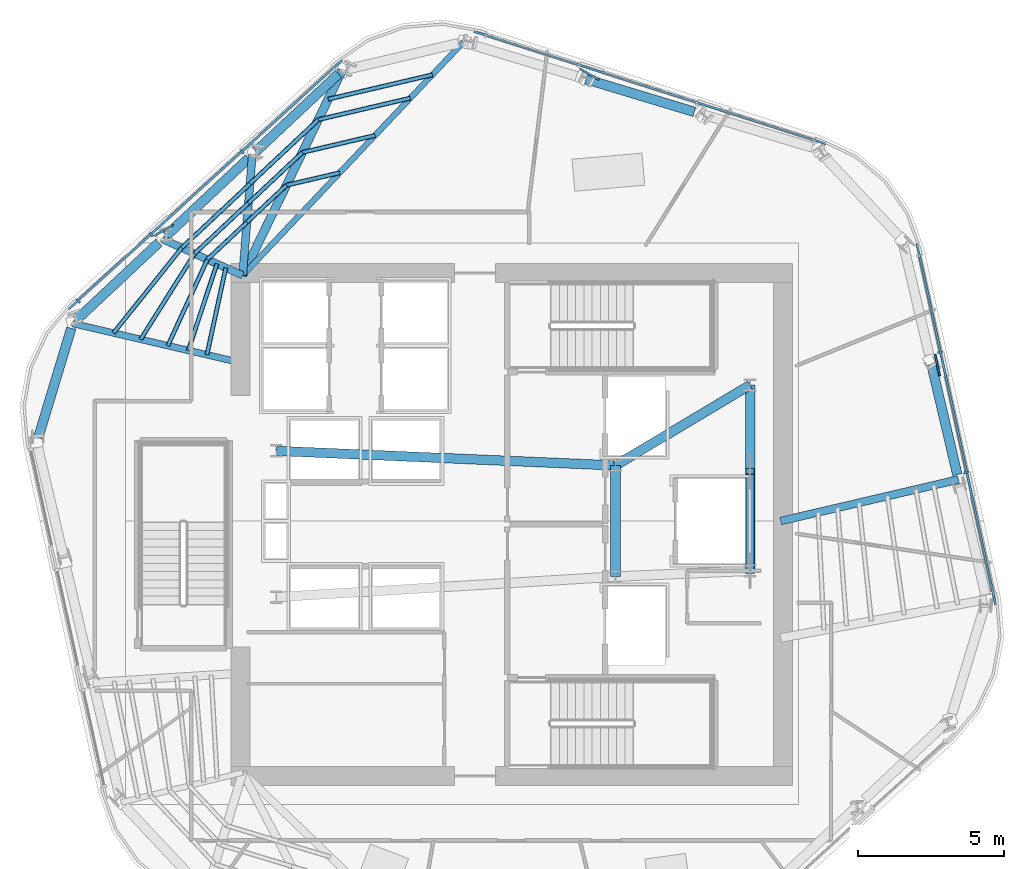
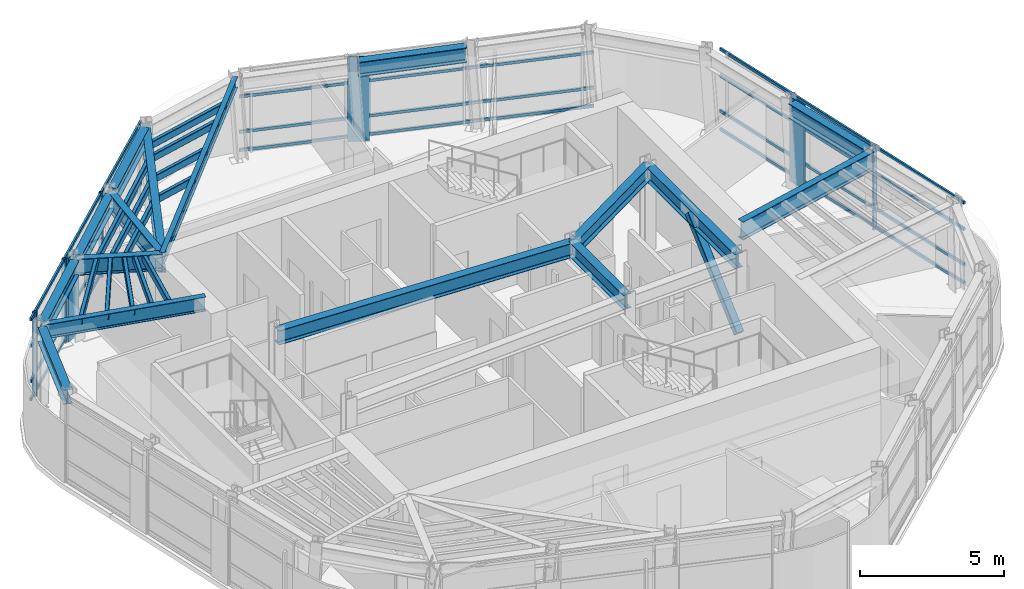
# One storey, part 4 of 15: 35 members, 16 beams, 3 elements without a shape of their own.
"""IFC4 building model written with IfcOpenShell, lengths in metres."""

from ifc_helpers import new_model, si_unit, direction, frame, origin, origin_2d, place, context, subcontext, project, spatial, rectangle, hollow_rectangle, i_section, extrude, material, layer, layer_set, material_profile, profile_set, type_object, element, aggregate, save


model = new_model("IFC4")

# Units and contexts
model_context = context("Model", 3, precision=1e-05, world=origin(), true_north=direction((0.0, 1.0)))
body_context = subcontext(model_context, "Body", "Model", "MODEL_VIEW")
ifc_project = project(units=[si_unit("LENGTHUNIT", "METRE"), si_unit("AREAUNIT", "SQUARE_METRE"), si_unit("VOLUMEUNIT", "CUBIC_METRE"), si_unit("PLANEANGLEUNIT", "RADIAN"), si_unit("MASSUNIT", "GRAM", prefix="KILO")], contexts=[model_context])

# Site, building, storey
site_placement = place(None, origin())
site = spatial("IfcSite", under=ifc_project, at=site_placement, CompositionType="ELEMENT")
building_placement = place(site_placement, origin())
building = spatial("IfcBuilding", under=site, at=building_placement, Name="Valkerne Bourse Tower", CompositionType="ELEMENT")
storey_placement = place(building_placement, frame((0.0, 0.0, 205.60009765625)))
storey = spatial("IfcBuildingStorey", under=building, at=storey_placement, Name="L52", CompositionType="ELEMENT", Elevation=205.60009765625)

# Beams
ifc_material_1 = material(Name="Steel ASTM A992", Category="steel")
ifc_material_profile_1 = material_profile(ifc_material_1, i_section(OverallWidth=0.1904296875, OverallDepth=0.457275390625, WebThickness=0.009033203125, FlangeThickness=0.014404296875, FilletRadius=0.01513671875, at=origin_2d()), Name="W18X50")
ifc_profile_set_1 = profile_set([ifc_material_profile_1], Name="Steel ASTM A992")
beam_type_1 = type_object("IfcBeamType", Name="BM-W18X50", PredefinedType="JOIST", material=ifc_profile_set_1)
beam_1_placement = place(storey_placement, frame((45.14453125, 43.376220703125, 3.371337890625), z_axis=(-0.687164646075, -0.726501720015, 0.0), x_axis=(0.726501720015, -0.687164646075, 0.0)))
element("IfcBeam", 1, at=beam_1_placement, inside=storey, type_object=beam_type_1, Name="L52 Radial Composite Floor Beam 03", PredefinedType="JOIST", context=body_context, shape_type="SweptSolid", body=[
    extrude(i_section(OverallWidth=0.1904296875, OverallDepth=0.457275390625, WebThickness=0.009033203125, FlangeThickness=0.014404296875, FilletRadius=0.01513671875, at=origin_2d()), origin(), (0.0, 0.0, 1.0), 10.97900390625),
])
ifc_material_profile_2 = material_profile(ifc_material_1, i_section(OverallWidth=0.3251953125, OverallDepth=0.612060546875, WebThickness=0.0126953125, FlangeThickness=0.01904296875, FilletRadius=0.020263671875, at=origin_2d()), Name="W24X104")
ifc_profile_set_2 = profile_set([ifc_material_profile_2], Name="Steel ASTM A992")
beam_type_2 = type_object("IfcBeamType", Name="BM-W24X104", PredefinedType="BEAM", material=ifc_profile_set_2)
beam_2_placement = place(storey_placement, frame((50.35009765625, 25.10009765625, 3.293701171875), z_axis=(0.0, 1.0, 0.0), x_axis=(-1.0, 0.0, 0.0)))
element("IfcBeam", 2, at=beam_2_placement, inside=storey, type_object=beam_type_2, Name="L52 Core Frame Girder CG-CE", PredefinedType="BEAM", context=body_context, shape_type="SweptSolid", body=[
    extrude(i_section(OverallWidth=0.3251953125, OverallDepth=0.612060546875, WebThickness=0.0126953125, FlangeThickness=0.01904296875, FilletRadius=0.020263671875, at=origin_2d()), origin(), (0.0, 0.0, 1.0), 3.7998046875),
])
beam_3_placement = place(storey_placement, frame((50.35009765625, 28.89990234375, 3.293701171875), z_axis=(0.858307823492, 0.513135148019, 0.0), x_axis=(-0.513135148019, 0.858307823492, 0.0)))
element("IfcBeam", 3, at=beam_3_placement, inside=storey, type_object=beam_type_2, Name="L52 Core Frame Girder CG-NE", PredefinedType="BEAM", context=body_context, shape_type="SweptSolid", body=[
    extrude(i_section(OverallWidth=0.3251953125, OverallDepth=0.612060546875, WebThickness=0.0126953125, FlangeThickness=0.01904296875, FilletRadius=0.020263671875, at=origin_2d()), origin(), (0.0, 0.0, 1.0), 5.359130859375),
])
beam_4_placement = place(storey_placement, frame((54.949951171875, 25.300048828125, 3.293701171875), z_axis=(0.0, 1.0, 0.0), x_axis=(-1.0, 0.0, 0.0)))
element("IfcBeam", 4, at=beam_4_placement, inside=storey, type_object=beam_type_2, Name="L52 Core Frame Girder CG-EE", PredefinedType="BEAM", context=body_context, shape_type="SweptSolid", body=[
    extrude(i_section(OverallWidth=0.3251953125, OverallDepth=0.612060546875, WebThickness=0.0126953125, FlangeThickness=0.01904296875, FilletRadius=0.020263671875, at=origin_2d()), origin(), (0.0, 0.0, 1.0), 6.349853515625),
])
beam_5_placement = place(storey_placement, frame((38.75, 29.39990234375, 3.293701171875), z_axis=(0.999072354402, -0.043063101019, 0.0), x_axis=(0.043063101019, 0.999072354402, 0.0)))
element("IfcBeam", 5, at=beam_5_placement, inside=storey, type_object=beam_type_2, Name="L52 Core Frame Girder CG-NW", PredefinedType="BEAM", context=body_context, shape_type="SweptSolid", body=[
    extrude(i_section(OverallWidth=0.3251953125, OverallDepth=0.612060546875, WebThickness=0.0126953125, FlangeThickness=0.01904296875, FilletRadius=0.020263671875, at=origin_2d()), origin(), (0.0, 0.0, 1.0), 11.61083984375),
])
ifc_material_profile_3 = material_profile(ifc_material_1, i_section(OverallWidth=0.32763671875, OverallDepth=0.62744140625, WebThickness=0.0166015625, FlangeThickness=0.027587890625, FilletRadius=0.020263671875, at=origin_2d()), Name="W24X146")
ifc_profile_set_3 = profile_set([ifc_material_profile_3], Name="Steel ASTM A992")
beam_type_3 = type_object("IfcBeamType", Name="BM-W24X146", PredefinedType="SPANDREL", material=ifc_profile_set_3)
for number, where, z_axis, x_axis, name in (
    (6, (53.04638671875, 40.990478515625, 3.2861328125), (-0.957319810918, 0.289030758957, 0.0), (-0.289030758957, -0.957319810918, 0.0), "L52 Hexagonal Spandrel Ring Beam 01"),
    (7, (40.87744140625, 42.2880859375, 3.2861328125), (-0.728952946424, -0.684563804111, 0.0), (0.684563804111, -0.728952946424, 0.0), "L52 Hexagonal Spandrel Ring Beam 04"),
    (8, (37.80712890625, 39.40478515625, 3.2861328125), (-0.728982492651, -0.68453234066, 0.0), (0.68453234066, -0.728982492651, 0.0), "L52 Hexagonal Spandrel Ring Beam 05"),
    (9, (34.736572265625, 36.521484375, 3.2861328125), (-0.728952946424, -0.684563804111, 0.0), (0.684563804111, -0.728952946424, 0.0), "L52 Hexagonal Spandrel Ring Beam 06"),
):
    element("IfcBeam", number, at=place(storey_placement, frame(where, z_axis=z_axis, x_axis=x_axis)), inside=storey, type_object=beam_type_3, Name=name, PredefinedType="SPANDREL", context=body_context, shape_type="SweptSolid", body=[
        extrude(i_section(OverallWidth=0.32763671875, OverallDepth=0.62744140625, WebThickness=0.0166015625, FlangeThickness=0.027587890625, FilletRadius=0.020263671875, at=origin_2d()), origin(), (0.0, 0.0, 1.0), 3.8720703125),
    ])
beam_6_placement = place(storey_placement, frame((31.740966796875, 33.591796875, 3.2861328125), z_axis=(-0.289034778107, -0.957318597461, 0.0), x_axis=(0.957318597461, -0.289034778107, 0.0)))
element("IfcBeam", 10, at=beam_6_placement, inside=storey, type_object=beam_type_3, Name="L52 Hexagonal Spandrel Ring Beam 07", PredefinedType="SPANDREL", context=body_context, shape_type="SweptSolid", body=[
    extrude(i_section(OverallWidth=0.32763671875, OverallDepth=0.62744140625, WebThickness=0.0166015625, FlangeThickness=0.027587890625, FilletRadius=0.020263671875, at=origin_2d()), origin(), (0.0, 0.0, 1.0), 3.916015625),
])
beam_7_placement = place(storey_placement, frame((62.039306640625, 28.585693359375, 3.2861328125), z_axis=(-0.228371556972, 0.973574050582, 0.0), x_axis=(-0.973574050582, -0.228371556972, 0.0)))
element("IfcBeam", 11, at=beam_7_placement, inside=storey, type_object=beam_type_3, Name="L52 Hexagonal Spandrel Ring Beam 21", PredefinedType="SPANDREL", context=body_context, shape_type="SweptSolid", body=[
    extrude(i_section(OverallWidth=0.32763671875, OverallDepth=0.62744140625, WebThickness=0.0166015625, FlangeThickness=0.027587890625, FilletRadius=0.020263671875, at=origin_2d()), origin(), (0.0, 0.0, 1.0), 3.8720703125),
])
ifc_material_profile_4 = material_profile(ifc_material_1, i_section(OverallWidth=0.228271484375, OverallDepth=0.607177734375, WebThickness=0.01123046875, FlangeThickness=0.017333984375, FilletRadius=0.017822265625, at=origin_2d()), Name="W24X76")
ifc_profile_set_4 = profile_set([ifc_material_profile_4], Name="Steel ASTM A992")
beam_type_4 = type_object("IfcBeamType", Name="BM-W24X76", PredefinedType="JOIST", material=ifc_profile_set_4)
beam_8_placement = place(storey_placement, frame((31.7900390625, 33.75439453125, 3.29638671875), z_axis=(0.973885262336, -0.227040736005, 0.0), x_axis=(0.227040736005, 0.973885262336, 0.0)))
element("IfcBeam", 12, at=beam_8_placement, inside=storey, type_object=beam_type_4, Name="L52 Radial Composite Floor Beam 07", PredefinedType="JOIST", context=body_context, shape_type="SweptSolid", body=[
    extrude(i_section(OverallWidth=0.228271484375, OverallDepth=0.607177734375, WebThickness=0.01123046875, FlangeThickness=0.017333984375, FilletRadius=0.017822265625, at=origin_2d()), origin(), (0.0, 0.0, 1.0), 5.9658203125),
])
ifc_material_profile_5 = material_profile(ifc_material_1, i_section(OverallWidth=0.255859375, OverallDepth=0.693359375, WebThickness=0.014404296875, FlangeThickness=0.023681640625, FilletRadius=0.02294921875, at=origin_2d()), Name="W27X114")
ifc_profile_set_5 = profile_set([ifc_material_profile_5], Name="Steel ASTM A992")
beam_type_5 = type_object("IfcBeamType", Name="BM-W27X114", PredefinedType="BEAM", material=ifc_profile_set_5)
beam_9_placement = place(storey_placement, frame((34.860595703125, 36.6376953125, 3.253173828125), z_axis=(0.911295899184, -0.411752090621, 0.0), x_axis=(0.411752090621, 0.911295899184, 0.0)))
element("IfcBeam", 13, at=beam_9_placement, inside=storey, type_object=beam_type_5, Name="L52 Radial Composite Floor Beam 06", PredefinedType="BEAM", context=body_context, shape_type="SweptSolid", body=[
    extrude(i_section(OverallWidth=0.255859375, OverallDepth=0.693359375, WebThickness=0.014404296875, FlangeThickness=0.023681640625, FilletRadius=0.02294921875, at=origin_2d()), origin(), (0.0, 0.0, 1.0), 3.006103515625),
])
ifc_material_profile_6 = material_profile(ifc_material_1, i_section(OverallWidth=0.26806640625, OverallDepth=0.76953125, WebThickness=0.015625, FlangeThickness=0.025390625, FilletRadius=0.025390625, at=origin_2d()), Name="W30X132")
ifc_profile_set_6 = profile_set([ifc_material_profile_6], Name="Steel ASTM A992")
beam_type_6 = type_object("IfcBeamType", Name="BM-W30X132", PredefinedType="BEAM", material=ifc_profile_set_6)
beam_10_placement = place(storey_placement, frame((37.930908203125, 39.52099609375, 3.215087890625), z_axis=(-0.080015130011, -0.996793649142, 0.0), x_axis=(0.996793649142, -0.080015130011, 0.0)))
element("IfcBeam", 14, at=beam_10_placement, inside=storey, type_object=beam_type_6, Name="L52 Radial Composite Floor Beam 05", PredefinedType="BEAM", context=body_context, shape_type="SweptSolid", body=[
    extrude(i_section(OverallWidth=0.26806640625, OverallDepth=0.76953125, WebThickness=0.015625, FlangeThickness=0.025390625, FilletRadius=0.025390625, at=origin_2d()), origin(), (0.0, 0.0, 1.0), 4.13427734375),
])
beam_11_placement = place(storey_placement, frame((62.078125, 28.42041015625, 3.215087890625), z_axis=(-0.97376383357, -0.227560972996, 0.0), x_axis=(0.227560972996, -0.97376383357, 0.0)))
element("IfcBeam", 15, at=beam_11_placement, inside=storey, type_object=beam_type_6, Name="L52 Radial Composite Floor Beam 21", PredefinedType="BEAM", context=body_context, shape_type="SweptSolid", body=[
    extrude(i_section(OverallWidth=0.26806640625, OverallDepth=0.76953125, WebThickness=0.015625, FlangeThickness=0.025390625, FilletRadius=0.025390625, at=origin_2d()), origin(), (0.0, 0.0, 1.0), 6.241943359375),
])
ifc_material_profile_7 = material_profile(ifc_material_1, i_section(OverallWidth=0.2919921875, OverallDepth=0.8583984375, WebThickness=0.01708984375, FlangeThickness=0.031005859375, FilletRadius=0.025390625, at=origin_2d()), Name="W33X169")
ifc_profile_set_7 = profile_set([ifc_material_profile_7], Name="Steel ASTM A992")
beam_type_7 = type_object("IfcBeamType", Name="BM-W33X169", PredefinedType="BEAM", material=ifc_profile_set_7)
beam_12_placement = place(storey_placement, frame((41.00146484375, 42.404296875, 3.170654296875), z_axis=(-0.436824229856, -0.899546881608, 0.0), x_axis=(0.899546881608, -0.436824229856, 0.0)))
element("IfcBeam", 16, at=beam_12_placement, inside=storey, type_object=beam_type_7, Name="L52 Radial Composite Floor Beam 04", PredefinedType="BEAM", context=body_context, shape_type="SweptSolid", body=[
    extrude(i_section(OverallWidth=0.2919921875, OverallDepth=0.8583984375, WebThickness=0.01708984375, FlangeThickness=0.031005859375, FilletRadius=0.025390625, at=origin_2d()), origin(), (0.0, 0.0, 1.0), 7.78662109375),
])

# Curtain wall, members
ifc_material_2 = material(Name="Aluminium AA 6063-T6", Category="aluminium")
ifc_layer = layer(ifc_material_2, 0.239990234375)
ifc_layer_set = layer_set([ifc_layer], Name="Aluminium AA 6063-T6")
curtain_wall_type = type_object("IfcCurtainWallType", Name="CW-04", PredefinedType="NOTDEFINED", material=ifc_layer_set)
curtain_wall_1_placement = place(storey_placement, origin())
curtain_wall_1 = element("IfcCurtainWall", 17, at=curtain_wall_1_placement, inside=storey, type_object=curtain_wall_type, Name="L52 Hexagonal Stick Curtain Wall Face 2", PredefinedType="NOTDEFINED")
ifc_material_profile_8 = material_profile(ifc_material_2, rectangle(XDim=0.074951171875, YDim=0.159912109375, at=origin_2d()), Name="CWM-75X160")
ifc_profile_set_8 = profile_set([ifc_material_profile_8], Name="Aluminium AA 6063-T6")
member_type_1 = type_object("IfcMemberType", Name="CW-MUL-160X75", PredefinedType="MULLION", material=ifc_profile_set_8)
member_1_placement = place(storey_placement, frame((37.589111328125, 39.627685546875, 0.0), z_axis=(0.0, 0.0, 1.0), x_axis=(-0.739631673154, -0.673011878103, 0.0)))
member_1 = element("IfcMember", 18, at=member_1_placement, type_object=member_type_1, Name="CW-L52-F2 Jamb Mullion 01A", PredefinedType="MULLION", context=body_context, shape_type="SweptSolid", body=[
    extrude(rectangle(XDim=0.074951171875, YDim=0.159912109375, at=origin_2d()), origin(), (0.0, 0.0, 1.0), 3.599853515625),
])
member_2_placement = place(storey_placement, frame((34.473876953125, 36.79296875, 0.0), z_axis=(0.0, 0.0, 1.0), x_axis=(-0.739631673154, -0.673011878103, 0.0)))
member_2 = element("IfcMember", 19, at=member_2_placement, type_object=member_type_1, Name="CW-L52-F2 Jamb Mullion 02A", PredefinedType="MULLION", context=body_context, shape_type="SweptSolid", body=[
    extrude(rectangle(XDim=0.074951171875, YDim=0.159912109375, at=origin_2d()), origin(), (0.0, 0.0, 1.0), 3.599853515625),
])
member_3_placement = place(storey_placement, frame((31.97998046875, 34.5234375, 0.0), z_axis=(0.0, 0.0, 1.0), x_axis=(-0.739631673154, -0.673011878103, 0.0)))
member_3 = element("IfcMember", 20, at=member_3_placement, type_object=member_type_1, Name="CW-L52-F2 Jamb Mullion 02B", PredefinedType="MULLION", context=body_context, shape_type="SweptSolid", body=[
    extrude(rectangle(XDim=0.074951171875, YDim=0.159912109375, at=origin_2d()), origin(), (0.0, 0.0, 1.0), 3.599853515625),
])

curtain_wall_2_placement = place(storey_placement, origin())
curtain_wall_2 = element("IfcCurtainWall", 21, at=curtain_wall_2_placement, inside=storey, type_object=curtain_wall_type, Name="L52 Hexagonal Stick Curtain Wall Face 6", PredefinedType="NOTDEFINED")
member_4_placement = place(storey_placement, frame((62.34130859375, 28.662841796875, 0.0), z_axis=(0.0, 0.0, 1.0), x_axis=(-0.213029862571, 0.977045688621, 0.0)))
member_4 = element("IfcMember", 22, at=member_4_placement, type_object=member_type_1, Name="CW-L52-F6 Jamb Mullion 01A", PredefinedType="MULLION", context=body_context, shape_type="SweptSolid", body=[
    extrude(rectangle(XDim=0.074951171875, YDim=0.159912109375, at=origin_2d()), origin(), (0.0, 0.0, 1.0), 3.599853515625),
])
member_5_placement = place(storey_placement, frame((61.44384765625, 32.7783203125, 0.0), z_axis=(0.0, 0.0, 1.0), x_axis=(-0.213034804174, 0.977044611167, 0.0)))
member_5 = element("IfcMember", 23, at=member_5_placement, type_object=member_type_1, Name="CW-L52-F6 Jamb Mullion 02A", PredefinedType="MULLION", context=body_context, shape_type="SweptSolid", body=[
    extrude(rectangle(XDim=0.074951171875, YDim=0.159912109375, at=origin_2d()), origin(), (0.0, 0.0, 1.0), 3.599853515625),
])

curtain_wall_3_placement = place(storey_placement, origin())
curtain_wall_3 = element("IfcCurtainWall", 24, at=curtain_wall_3_placement, inside=storey, type_object=curtain_wall_type, Name="L52 Hexagonal Stick Curtain Wall Face 1", PredefinedType="NOTDEFINED")
ifc_material_profile_9 = material_profile(ifc_material_2, rectangle(XDim=0.074951171875, YDim=0.1201171875, at=origin_2d()), Name="CWT-75X120")
ifc_profile_set_9 = profile_set([ifc_material_profile_9], Name="Aluminium AA 6063-T6")
member_type_2 = type_object("IfcMemberType", Name="CW-TRN-120X75", PredefinedType="USERDEFINED", material=ifc_profile_set_9)
member_6_placement = place(storey_placement, frame((57.54931640625, 39.9013671875, 0.119873046875), z_axis=(-0.952660759109, 0.304035323693, 0.0), x_axis=(-0.304035323693, -0.952660759109, 0.0)))
member_6 = element("IfcMember", 25, at=member_6_placement, type_object=member_type_2, Name="CW-L52-F1 Continuous Face Transom 1", ObjectType="TRANSOM", PredefinedType="USERDEFINED", context=body_context, shape_type="SweptSolid", body=[
    extrude(rectangle(XDim=0.074951171875, YDim=0.1201171875, at=origin_2d()), origin(), (0.0, 0.0, 1.0), 12.635986328125),
])
member_7_placement = place(storey_placement, frame((57.54931640625, 39.9013671875, 0.89990234375), z_axis=(-0.952660759109, 0.304035323693, 0.0), x_axis=(-0.304035323693, -0.952660759109, 0.0)))
member_7 = element("IfcMember", 26, at=member_7_placement, type_object=member_type_2, Name="CW-L52-F1 Continuous Face Transom 2", ObjectType="TRANSOM", PredefinedType="USERDEFINED", context=body_context, shape_type="SweptSolid", body=[
    extrude(rectangle(XDim=0.074951171875, YDim=0.1201171875, at=origin_2d()), origin(), (0.0, 0.0, 1.0), 12.635986328125),
])
member_8_placement = place(storey_placement, frame((57.54931640625, 39.9013671875, 2.39990234375), z_axis=(-0.952660759109, 0.304035323693, 0.0), x_axis=(-0.304035323693, -0.952660759109, 0.0)))
member_8 = element("IfcMember", 27, at=member_8_placement, type_object=member_type_2, Name="CW-L52-F1 Continuous Face Transom 3", ObjectType="TRANSOM", PredefinedType="USERDEFINED", context=body_context, shape_type="SweptSolid", body=[
    extrude(rectangle(XDim=0.074951171875, YDim=0.1201171875, at=origin_2d()), origin(), (0.0, 0.0, 1.0), 12.635986328125),
])
aggregate(curtain_wall_3, [member_6, member_7, member_8])

# Member
member_9_placement = place(storey_placement, frame((41.001708984375, 42.760009765625, 0.119873046875), z_axis=(-0.7396217647, -0.67302276721, 0.0), x_axis=(0.67302276721, -0.7396217647, 0.0)))
member_9 = element("IfcMember", 28, at=member_9_placement, type_object=member_type_2, Name="CW-L52-F2 Continuous Face Transom 1", ObjectType="TRANSOM", PredefinedType="USERDEFINED", context=body_context, shape_type="SweptSolid", body=[
    extrude(rectangle(XDim=0.074951171875, YDim=0.1201171875, at=origin_2d()), origin(), (0.0, 0.0, 1.0), 12.63623046875),
])

member_10_placement = place(storey_placement, frame((41.001708984375, 42.760009765625, 0.89990234375), z_axis=(-0.7396217647, -0.67302276721, 0.0), x_axis=(0.67302276721, -0.7396217647, 0.0)))
member_10 = element("IfcMember", 29, at=member_10_placement, type_object=member_type_2, Name="CW-L52-F2 Continuous Face Transom 2", ObjectType="TRANSOM", PredefinedType="USERDEFINED", context=body_context, shape_type="SweptSolid", body=[
    extrude(rectangle(XDim=0.074951171875, YDim=0.1201171875, at=origin_2d()), origin(), (0.0, 0.0, 1.0), 12.63623046875),
])

member_11_placement = place(storey_placement, frame((41.001708984375, 42.760009765625, 2.39990234375), z_axis=(-0.7396217647, -0.67302276721, 0.0), x_axis=(0.67302276721, -0.7396217647, 0.0)))
member_11 = element("IfcMember", 30, at=member_11_placement, type_object=member_type_2, Name="CW-L52-F2 Continuous Face Transom 3", ObjectType="TRANSOM", PredefinedType="USERDEFINED", context=body_context, shape_type="SweptSolid", body=[
    extrude(rectangle(XDim=0.074951171875, YDim=0.1201171875, at=origin_2d()), origin(), (0.0, 0.0, 1.0), 12.63623046875),
])

member_12_placement = place(storey_placement, frame((41.001708984375, 42.760009765625, 3.52001953125), z_axis=(-0.7396217647, -0.67302276721, 0.0), x_axis=(0.67302276721, -0.7396217647, 0.0)))
member_12 = element("IfcMember", 31, at=member_12_placement, type_object=member_type_2, Name="CW-L52-F2 Continuous Face Transom 4", ObjectType="TRANSOM", PredefinedType="USERDEFINED", context=body_context, shape_type="SweptSolid", body=[
    extrude(rectangle(XDim=0.074951171875, YDim=0.1201171875, at=origin_2d()), origin(), (0.0, 0.0, 1.0), 12.63623046875),
])

aggregate(curtain_wall_1, [member_9, member_10, member_11, member_12, member_1, member_2, member_3])

member_13_placement = place(storey_placement, frame((63.347412109375, 24.1416015625, 0.119873046875), z_axis=(-0.213033612446, 0.977044871011, 0.0), x_axis=(-0.977044871011, -0.213033612446, 0.0)))
member_13 = element("IfcMember", 32, at=member_13_placement, type_object=member_type_2, Name="CW-L52-F6 Continuous Face Transom 1", ObjectType="TRANSOM", PredefinedType="USERDEFINED", context=body_context, shape_type="SweptSolid", body=[
    extrude(rectangle(XDim=0.074951171875, YDim=0.1201171875, at=origin_2d()), origin(), (0.0, 0.0, 1.0), 12.635986328125),
])

member_14_placement = place(storey_placement, frame((63.347412109375, 24.1416015625, 0.89990234375), z_axis=(-0.213033612446, 0.977044871011, 0.0), x_axis=(-0.977044871011, -0.213033612446, 0.0)))
member_14 = element("IfcMember", 33, at=member_14_placement, type_object=member_type_2, Name="CW-L52-F6 Continuous Face Transom 2", ObjectType="TRANSOM", PredefinedType="USERDEFINED", context=body_context, shape_type="SweptSolid", body=[
    extrude(rectangle(XDim=0.074951171875, YDim=0.1201171875, at=origin_2d()), origin(), (0.0, 0.0, 1.0), 12.635986328125),
])

member_15_placement = place(storey_placement, frame((63.347412109375, 24.1416015625, 2.39990234375), z_axis=(-0.213033612446, 0.977044871011, 0.0), x_axis=(-0.977044871011, -0.213033612446, 0.0)))
member_15 = element("IfcMember", 34, at=member_15_placement, type_object=member_type_2, Name="CW-L52-F6 Continuous Face Transom 3", ObjectType="TRANSOM", PredefinedType="USERDEFINED", context=body_context, shape_type="SweptSolid", body=[
    extrude(rectangle(XDim=0.074951171875, YDim=0.1201171875, at=origin_2d()), origin(), (0.0, 0.0, 1.0), 12.635986328125),
])

member_16_placement = place(storey_placement, frame((63.347412109375, 24.1416015625, 3.52001953125), z_axis=(-0.213033612446, 0.977044871011, 0.0), x_axis=(-0.977044871011, -0.213033612446, 0.0)))
member_16 = element("IfcMember", 35, at=member_16_placement, type_object=member_type_2, Name="CW-L52-F6 Continuous Face Transom 4", ObjectType="TRANSOM", PredefinedType="USERDEFINED", context=body_context, shape_type="SweptSolid", body=[
    extrude(rectangle(XDim=0.074951171875, YDim=0.1201171875, at=origin_2d()), origin(), (0.0, 0.0, 1.0), 12.635986328125),
])

aggregate(curtain_wall_2, [member_13, member_14, member_15, member_16, member_4, member_5])

# Members
ifc_material_3 = material(Name="Bronze Anodised Aluminium AA 6063-T6", Category="aluminium")
ifc_material_profile_10 = material_profile(ifc_material_3, rectangle(XDim=0.06494140625, YDim=0.75, at=origin_2d()), Name="FIN-65X750")
ifc_profile_set_10 = profile_set([ifc_material_profile_10], Name="Bronze Anodised Aluminium AA 6063-T6")
member_type_3 = type_object("IfcMemberType", Name="FIN-SOLAR-650", PredefinedType="USERDEFINED", material=ifc_profile_set_10)
for number, where, z_axis, x_axis, name in (
    (36, (49.463134765625, 42.27197265625, 0.00390625), (0.0, 0.0, 1.0), (0.497880658925, 0.867245553156, 0.0), "L52 Bronze Anodised Solar Fin F1-02"),
    (37, (34.90576171875, 36.9423828125, 0.00390625), (0.0, 0.0, 1.0), (-0.503207087524, 0.864165856225, 0.0), "L52 Bronze Anodised Solar Fin F2-02"),
    (38, (61.357421875, 32.32958984375, 0.00390625), (0.0, 0.0, 1.0), (0.977316599481, 0.21178353189, 0.0), "L52 Bronze Anodised Solar Fin F6-02"),
):
    element("IfcMember", number, at=place(storey_placement, frame(where, z_axis=z_axis, x_axis=x_axis)), inside=storey, type_object=member_type_3, Name=name, ObjectType="SOLAR_FIN", PredefinedType="USERDEFINED", context=body_context, shape_type="SweptSolid", body=[
        extrude(rectangle(XDim=0.06494140625, YDim=0.75, at=origin_2d()), origin(), (0.0, 0.0, 1.0), 3.592041015625),
    ])
ifc_material_4 = material(Name="Steel ASTM A500 Grade C", Category="steel")
ifc_material_profile_11 = material_profile(ifc_material_4, hollow_rectangle(XDim=0.14990234375, YDim=0.300048828125, WallThickness=0.012451171875, OuterFilletRadius=0.02490234375, at=origin_2d()), Name="HSS300X150X12.5")
ifc_profile_set_11 = profile_set([ifc_material_profile_11], Name="Steel ASTM A500 Grade C")
member_type_4 = type_object("IfcMemberType", Name="MBR-HSS300X150X12.5", PredefinedType="PURLIN", material=ifc_profile_set_11)
member_17_placement = place(storey_placement, frame((36.723388671875, 35.796142578125, 3.43994140625), z_axis=(-0.314819529211, -0.949151549558, 0.0), x_axis=(0.949151549558, -0.314819529211, 0.0)))
element("IfcMember", 39, at=member_17_placement, inside=storey, type_object=member_type_4, Name="L52 Secondary Composite Floor Purlin I-06", PredefinedType="PURLIN", context=body_context, shape_type="SweptSolid", body=[
    extrude(hollow_rectangle(XDim=0.14990234375, YDim=0.300048828125, WallThickness=0.012451171875, OuterFilletRadius=0.02490234375, at=origin_2d()), origin(), (0.0, 0.0, 1.0), 3.121337890625),
])
member_18_placement = place(storey_placement, frame((40.919677734375, 38.909423828125, 3.43994140625), z_axis=(-0.973589599135, -0.228305261562, 0.0), x_axis=(0.228305261562, -0.973589599135, 0.0)))
element("IfcMember", 40, at=member_18_placement, inside=storey, type_object=member_type_4, Name="L52 Secondary Composite Floor Purlin K-03", PredefinedType="PURLIN", context=body_context, shape_type="SweptSolid", body=[
    extrude(hollow_rectangle(XDim=0.14990234375, YDim=0.300048828125, WallThickness=0.012451171875, OuterFilletRadius=0.02490234375, at=origin_2d()), origin(), (0.0, 0.0, 1.0), 1.87255859375),
])
member_19_placement = place(storey_placement, frame((39.0966796875, 38.48193359375, 3.43994140625), z_axis=(-0.72901936854, -0.684493068112, 0.0), x_axis=(0.684493068112, -0.72901936854, 0.0)))
element("IfcMember", 41, at=member_19_placement, inside=storey, type_object=member_type_4, Name="L52 Secondary Composite Floor Purlin K-04", PredefinedType="PURLIN", context=body_context, shape_type="SweptSolid", body=[
    extrude(hollow_rectangle(XDim=0.14990234375, YDim=0.300048828125, WallThickness=0.012451171875, OuterFilletRadius=0.02490234375, at=origin_2d()), origin(), (0.0, 0.0, 1.0), 1.853271484375),
])
member_20_placement = place(storey_placement, frame((37.74560546875, 37.21337890625, 3.43994140625), z_axis=(-0.728953634386, -0.68456307154, 0.0), x_axis=(0.68456307154, -0.728953634386, 0.0)))
element("IfcMember", 42, at=member_20_placement, inside=storey, type_object=member_type_4, Name="L52 Secondary Composite Floor Purlin K-05", PredefinedType="PURLIN", context=body_context, shape_type="SweptSolid", body=[
    extrude(hollow_rectangle(XDim=0.14990234375, YDim=0.300048828125, WallThickness=0.012451171875, OuterFilletRadius=0.02490234375, at=origin_2d()), origin(), (0.0, 0.0, 1.0), 1.853515625),
])
member_21_placement = place(storey_placement, frame((36.39453125, 35.944580078125, 3.43994140625), z_axis=(-0.416483638702, -0.909143211322, 0.0), x_axis=(0.909143211322, -0.416483638702, 0.0)))
element("IfcMember", 43, at=member_21_placement, inside=storey, type_object=member_type_4, Name="L52 Secondary Composite Floor Purlin K-06", PredefinedType="PURLIN", context=body_context, shape_type="SweptSolid", body=[
    extrude(hollow_rectangle(XDim=0.14990234375, YDim=0.300048828125, WallThickness=0.012451171875, OuterFilletRadius=0.02490234375, at=origin_2d()), origin(), (0.0, 0.0, 1.0), 3.243408203125),
])
member_22_placement = place(storey_placement, frame((43.333984375, 41.4619140625, 3.43994140625), z_axis=(-0.97358223533, -0.228336661643, 0.0), x_axis=(0.228336661643, -0.97358223533, 0.0)))
element("IfcMember", 44, at=member_22_placement, inside=storey, type_object=member_type_4, Name="L52 Secondary Composite Floor Purlin O-03", PredefinedType="PURLIN", context=body_context, shape_type="SweptSolid", body=[
    extrude(hollow_rectangle(XDim=0.14990234375, YDim=0.300048828125, WallThickness=0.012451171875, OuterFilletRadius=0.02490234375, at=origin_2d()), origin(), (0.0, 0.0, 1.0), 3.234375),
])
member_23_placement = place(storey_placement, frame((40.18505859375, 40.723388671875, 3.43994140625), z_axis=(-0.728951860088, -0.684564960887, 0.0), x_axis=(0.684564960887, -0.728951860088, 0.0)))
element("IfcMember", 45, at=member_23_placement, inside=storey, type_object=member_type_4, Name="L52 Secondary Composite Floor Purlin O-04", PredefinedType="PURLIN", context=body_context, shape_type="SweptSolid", body=[
    extrude(hollow_rectangle(XDim=0.14990234375, YDim=0.300048828125, WallThickness=0.012451171875, OuterFilletRadius=0.02490234375, at=origin_2d()), origin(), (0.0, 0.0, 1.0), 3.201171875),
])
member_24_placement = place(storey_placement, frame((37.8515625, 38.531982421875, 3.43994140625), z_axis=(-0.728989918894, -0.684524432107, 0.0), x_axis=(0.684524432107, -0.728989918894, 0.0)))
element("IfcMember", 46, at=member_24_placement, inside=storey, type_object=member_type_4, Name="L52 Secondary Composite Floor Purlin O-05", PredefinedType="PURLIN", context=body_context, shape_type="SweptSolid", body=[
    extrude(hollow_rectangle(XDim=0.14990234375, YDim=0.300048828125, WallThickness=0.012451171875, OuterFilletRadius=0.02490234375, at=origin_2d()), origin(), (0.0, 0.0, 1.0), 3.200927734375),
])
member_25_placement = place(storey_placement, frame((35.51806640625, 36.3408203125, 3.43994140625), z_axis=(-0.625381024601, -0.780319533312, 0.0), x_axis=(0.780319533312, -0.625381024601, 0.0)))
element("IfcMember", 47, at=member_25_placement, inside=storey, type_object=member_type_4, Name="L52 Secondary Composite Floor Purlin O-06", PredefinedType="PURLIN", context=body_context, shape_type="SweptSolid", body=[
    extrude(hollow_rectangle(XDim=0.14990234375, YDim=0.300048828125, WallThickness=0.012451171875, OuterFilletRadius=0.02490234375, at=origin_2d()), origin(), (0.0, 0.0, 1.0), 3.731201171875),
])
member_26_placement = place(storey_placement, frame((42.126708984375, 40.185791015625, 3.43994140625), z_axis=(-0.973561182992, -0.228426406027, 0.0), x_axis=(0.228426406027, -0.973561182992, 0.0)))
element("IfcMember", 48, at=member_26_placement, inside=storey, type_object=member_type_4, Name="L52 Secondary Composite Floor Purlin Z-03", PredefinedType="PURLIN", context=body_context, shape_type="SweptSolid", body=[
    extrude(hollow_rectangle(XDim=0.14990234375, YDim=0.300048828125, WallThickness=0.012451171875, OuterFilletRadius=0.02490234375, at=origin_2d()), origin(), (0.0, 0.0, 1.0), 2.553466796875),
])
member_27_placement = place(storey_placement, frame((39.640869140625, 39.6025390625, 3.43994140625), z_axis=(-0.729024821935, -0.684487259927, 0.0), x_axis=(0.684487259927, -0.729024821935, 0.0)))
element("IfcMember", 49, at=member_27_placement, inside=storey, type_object=member_type_4, Name="L52 Secondary Composite Floor Purlin Z-04", PredefinedType="PURLIN", context=body_context, shape_type="SweptSolid", body=[
    extrude(hollow_rectangle(XDim=0.14990234375, YDim=0.300048828125, WallThickness=0.012451171875, OuterFilletRadius=0.02490234375, at=origin_2d()), origin(), (0.0, 0.0, 1.0), 2.527099609375),
])
member_28_placement = place(storey_placement, frame((37.798583984375, 37.872802734375, 3.43994140625), z_axis=(-0.728928408329, -0.684589932391, 0.0), x_axis=(0.684589932391, -0.728928408329, 0.0)))
element("IfcMember", 50, at=member_28_placement, inside=storey, type_object=member_type_4, Name="L52 Secondary Composite Floor Purlin Z-05", PredefinedType="PURLIN", context=body_context, shape_type="SweptSolid", body=[
    extrude(hollow_rectangle(XDim=0.14990234375, YDim=0.300048828125, WallThickness=0.012451171875, OuterFilletRadius=0.02490234375, at=origin_2d()), origin(), (0.0, 0.0, 1.0), 2.52734375),
])
member_29_placement = place(storey_placement, frame((35.956298828125, 36.142578125, 3.43994140625), z_axis=(-0.532298668981, -0.84655662953, 0.0), x_axis=(0.84655662953, -0.532298668981, 0.0)))
element("IfcMember", 51, at=member_29_placement, inside=storey, type_object=member_type_4, Name="L52 Secondary Composite Floor Purlin Z-06", PredefinedType="PURLIN", context=body_context, shape_type="SweptSolid", body=[
    extrude(hollow_rectangle(XDim=0.14990234375, YDim=0.300048828125, WallThickness=0.012451171875, OuterFilletRadius=0.02490234375, at=origin_2d()), origin(), (0.0, 0.0, 1.0), 3.4609375),
])
member_30_placement = place(storey_placement, frame((37.024658203125, 35.659912109375, 3.43994140625), z_axis=(-0.211773771339, -0.977318714531, 0.0), x_axis=(0.977318714531, -0.211773771339, 0.0)))
element("IfcMember", 52, at=member_30_placement, inside=storey, type_object=member_type_4, Name="L52 Secondary Composite Floor Purlin S-06", PredefinedType="PURLIN", context=body_context, shape_type="SweptSolid", body=[
    extrude(hollow_rectangle(XDim=0.14990234375, YDim=0.300048828125, WallThickness=0.012451171875, OuterFilletRadius=0.02490234375, at=origin_2d()), origin(), (0.0, 0.0, 1.0), 3.044677734375),
])
member_31_placement = place(storey_placement, frame((44.08837890625, 42.259521484375, 3.43994140625), z_axis=(-0.973582259474, -0.228336558697, 0.0), x_axis=(0.228336558697, -0.973582259474, 0.0)))
element("IfcMember", 53, at=member_31_placement, inside=storey, type_object=member_type_4, Name="L52 Secondary Composite Floor Purlin T-03", PredefinedType="PURLIN", context=body_context, shape_type="SweptSolid", body=[
    extrude(hollow_rectangle(XDim=0.14990234375, YDim=0.300048828125, WallThickness=0.012451171875, OuterFilletRadius=0.02490234375, at=origin_2d()), origin(), (0.0, 0.0, 1.0), 3.659912109375),
])
ifc_material_profile_12 = material_profile(ifc_material_4, hollow_rectangle(XDim=0.300048828125, YDim=0.300048828125, WallThickness=0.012451171875, OuterFilletRadius=0.02490234375, at=origin_2d()), Name="HSS300X300X12.5")
ifc_profile_set_12 = profile_set([ifc_material_profile_12], Name="Steel ASTM A500 Grade C")
member_type_5 = type_object("IfcMemberType", Name="MBR-HSS300X300X12.5", PredefinedType="STRUT", material=ifc_profile_set_12)
member_32_placement = place(storey_placement, frame((54.949951171875, 25.300048828125, 0.219970703125), z_axis=(0.0, 0.741793158493, 0.670628742311), x_axis=(-1.0, 0.0, 0.0)))
element("IfcMember", 54, at=member_32_placement, inside=storey, type_object=member_type_5, Name="L52 Core Service Pier Lateral Brace", PredefinedType="STRUT", context=body_context, shape_type="SweptSolid", body=[
    extrude(hollow_rectangle(XDim=0.300048828125, YDim=0.300048828125, WallThickness=0.012451171875, OuterFilletRadius=0.02490234375, at=origin_2d()), origin(), (0.0, 0.0, 1.0), 4.583251953125),
])

save(model, "model.ifc")
